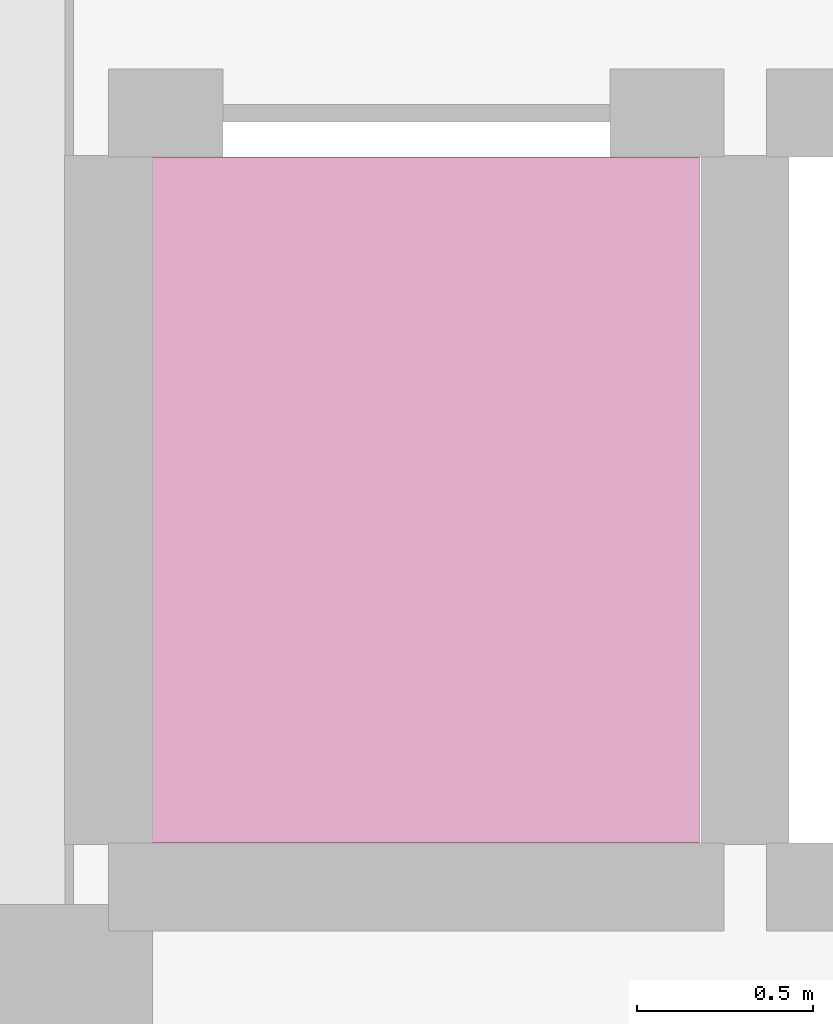
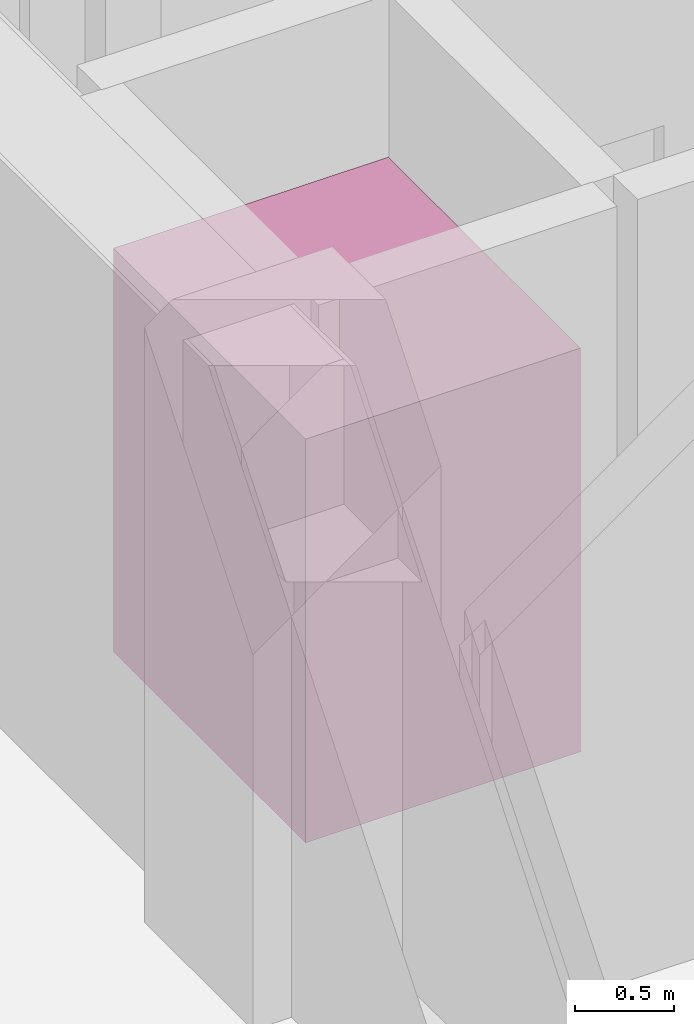
# One storey, part 10 of 10: 1 transport element.
"""IFC4 building model written with IfcOpenShell, lengths in metres."""

from ifc_helpers import new_model, si_unit, direction, frame, origin, origin_2d, place, context, subcontext, project, spatial, rectangle, extrude, material, type_object, element, save


model = new_model("IFC4")

# Units and contexts
model_context = context("Model", 3, precision=1e-05, world=origin(), true_north=direction((0.0, 1.0)))
body_context = subcontext(model_context, "Body", "Model", "MODEL_VIEW")
ifc_project = project(units=[si_unit("LENGTHUNIT", "METRE"), si_unit("AREAUNIT", "SQUARE_METRE"), si_unit("VOLUMEUNIT", "CUBIC_METRE"), si_unit("PLANEANGLEUNIT", "RADIAN"), si_unit("MASSUNIT", "GRAM", prefix="KILO")], contexts=[model_context])

# Site, building, storey
site_placement = place(None, origin())
site = spatial("IfcSite", under=ifc_project, at=site_placement, CompositionType="ELEMENT")
building_placement = place(site_placement, origin())
building = spatial("IfcBuilding", under=site, at=building_placement, Name="Zulverin Broadcast Headquarters", CompositionType="ELEMENT")
storey_placement = place(building_placement, frame((0.0, 0.0, 66.800048828125)))
storey = spatial("IfcBuildingStorey", under=building, at=storey_placement, Name="L16", CompositionType="ELEMENT", Elevation=66.800048828125)

# Transport element
ifc_material = material(Name="Stainless steel & laminated glass elevator car", Category="steel")
transport_element_type = type_object("IfcTransportElementType", Name="LFT-PASS-1600", PredefinedType="ELEVATOR", material=ifc_material)
transport_element_placement = place(storey_placement, frame((27.02490234375, 22.5, 0.02001953125), z_axis=(0.0, 0.0, 1.0), x_axis=(1.0, 0.0, 0.0)))
element("IfcTransportElement", 1, at=transport_element_placement, inside=storey, type_object=transport_element_type, Name="Elevator Car PL-L3 (1600 kg, B2-L29)", PredefinedType="ELEVATOR", context=body_context, shape_type="SweptSolid", body=[
    extrude(rectangle(XDim=1.610107421875, YDim=1.949951171875, at=origin_2d()), origin(), (0.0, 0.0, 1.0), 2.5),
])

save(model, "model.ifc")
